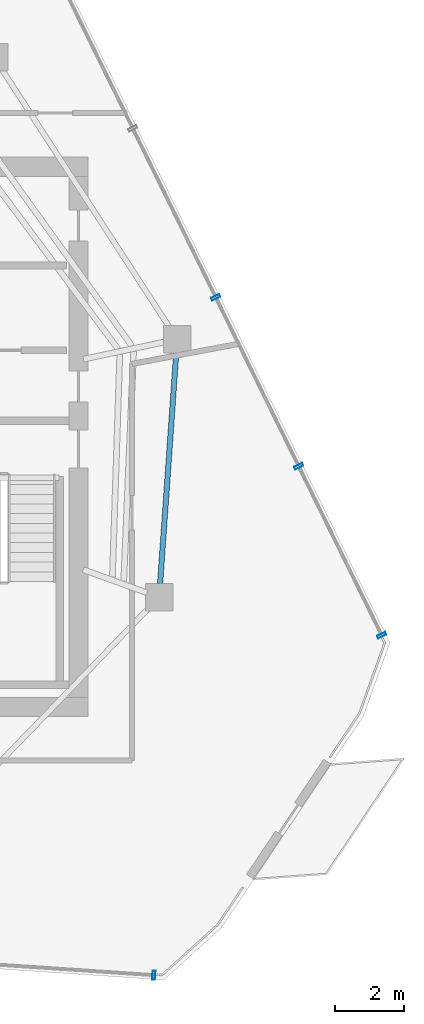
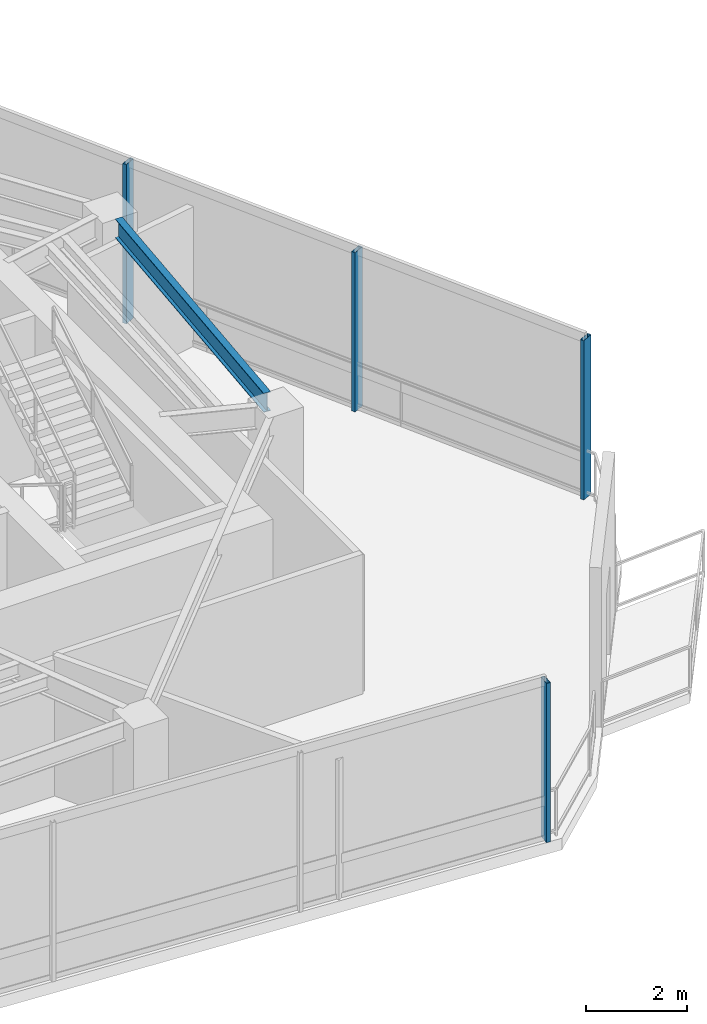
# One storey, part 10 of 18: 4 members, 1 beam, 2 elements without a shape of their own.
"""IFC4 building model written with IfcOpenShell, lengths in metres."""

from ifc_helpers import new_model, si_unit, direction, frame, origin, origin_2d, place, context, subcontext, project, spatial, hollow_rectangle, i_section, extrude, material, layer, layer_set, material_profile, profile_set, type_object, element, aggregate, save


model = new_model("IFC4")

# Units and contexts
model_context = context("Model", 3, precision=1e-05, world=origin(), true_north=direction((0.0, 1.0)))
body_context = subcontext(model_context, "Body", "Model", "MODEL_VIEW")
ifc_project = project(units=[si_unit("LENGTHUNIT", "METRE"), si_unit("AREAUNIT", "SQUARE_METRE"), si_unit("VOLUMEUNIT", "CUBIC_METRE"), si_unit("PLANEANGLEUNIT", "RADIAN"), si_unit("MASSUNIT", "GRAM", prefix="KILO")], contexts=[model_context])

# Site, building, storey
site_placement = place(None, origin())
site = spatial("IfcSite", under=ifc_project, at=site_placement, CompositionType="ELEMENT")
building_placement = place(site_placement, origin())
building = spatial("IfcBuilding", under=site, at=building_placement, Name="Qarnah Convention Tower", CompositionType="ELEMENT")
storey_placement = place(building_placement, frame((0.0, 0.0, 279.300048828125)))
storey = spatial("IfcBuildingStorey", under=building, at=storey_placement, Name="L75", CompositionType="ELEMENT", Elevation=279.300048828125)

# Beam
ifc_material_1 = material(Name="Structural steel S355JR", Category="steel")
ifc_material_profile_1 = material_profile(ifc_material_1, i_section(OverallWidth=0.154052734375, OverallDepth=0.4599609375, WebThickness=0.009033203125, FlangeThickness=0.014892578125, at=origin_2d()), Name="W460X68")
ifc_profile_set_1 = profile_set([ifc_material_profile_1], Name="Structural steel S355JR")
beam_type = type_object("IfcBeamType", Name="BM-SPN-W460B", PredefinedType="SPANDREL", material=ifc_profile_set_1)
beam_placement = place(storey_placement, frame((49.9599609375, 22.155029296875, 3.60986328125), z_axis=(0.069820410922, 0.997559577278, 0.0), x_axis=(-0.997559577278, 0.069820410922, 0.0)))
element("IfcBeam", 1, at=beam_placement, inside=storey, type_object=beam_type, Name="L75 spandrel BM-L75-SPN-09", PredefinedType="SPANDREL", context=body_context, shape_type="SweptSolid", body=[
    extrude(i_section(OverallWidth=0.154052734375, OverallDepth=0.4599609375, WebThickness=0.009033203125, FlangeThickness=0.014892578125, at=origin_2d()), origin(), (0.0, 0.0, 1.0), 6.689208984375),
])

# Curtain wall, members
ifc_material_2 = material(Name="Tempered Low-E dark glass", Category="glass")
ifc_layer = layer(ifc_material_2, 0.177978515625)
ifc_layer_set = layer_set([ifc_layer], Name="Tempered Low-E dark glass")
curtain_wall_type = type_object("IfcCurtainWallType", Name="CWS-06", PredefinedType="NOTDEFINED", material=ifc_layer_set)
curtain_wall_1_placement = place(storey_placement, origin())
curtain_wall_1 = element("IfcCurtainWall", 2, at=curtain_wall_1_placement, inside=storey, type_object=curtain_wall_type, Name="L75 unitised curtain wall CW-L75-F1", PredefinedType="NOTDEFINED")
ifc_material_3 = material(Name="Black anodised aluminium", Category="aluminium")
ifc_material_profile_2 = material_profile(ifc_material_3, hollow_rectangle(XDim=0.0849609375, YDim=0.260009765625, WallThickness=0.006103515625, at=origin_2d()), Name="MUL-85X260")
ifc_profile_set_2 = profile_set([ifc_material_profile_2], Name="Black anodised aluminium")
member_type = type_object("IfcMemberType", Name="MUL-T6", PredefinedType="MULLION", material=ifc_profile_set_2)
member_1_placement = place(storey_placement, frame((51.5673828125, 30.428466796875, 0.0), z_axis=(0.0, 0.0, 1.0), x_axis=(0.440831090397, -0.8975900789, 0.0)))
member_1 = element("IfcMember", 3, at=member_1_placement, type_object=member_type, Name="CW-L75-F1 mullion 4", PredefinedType="MULLION", context=body_context, shape_type="SweptSolid", body=[
    extrude(hollow_rectangle(XDim=0.0849609375, YDim=0.260009765625, WallThickness=0.006103515625, at=origin_2d()), origin(), (0.0, 0.0, 1.0), 3.83984375),
])
member_2_placement = place(storey_placement, frame((53.964111328125, 25.548095703125, 0.0), z_axis=(0.0, 0.0, 1.0), x_axis=(0.440831090397, -0.8975900789, 0.0)))
member_2 = element("IfcMember", 4, at=member_2_placement, type_object=member_type, Name="CW-L75-F1 mullion 5", PredefinedType="MULLION", context=body_context, shape_type="SweptSolid", body=[
    extrude(hollow_rectangle(XDim=0.0849609375, YDim=0.260009765625, WallThickness=0.006103515625, at=origin_2d()), origin(), (0.0, 0.0, 1.0), 3.83984375),
])
member_3_placement = place(storey_placement, frame((56.361083984375, 20.66796875, 0.0), z_axis=(0.0, 0.0, 1.0), x_axis=(0.440831090397, -0.8975900789, 0.0)))
member_3 = element("IfcMember", 5, at=member_3_placement, type_object=member_type, Name="CW-L75-F1 mullion 6", PredefinedType="MULLION", context=body_context, shape_type="SweptSolid", body=[
    extrude(hollow_rectangle(XDim=0.0849609375, YDim=0.260009765625, WallThickness=0.006103515625, at=origin_2d()), origin(), (0.0, 0.0, 1.0), 3.83984375),
])
aggregate(curtain_wall_1, [member_1, member_2, member_3])

# Curtain wall, member
curtain_wall_2_placement = place(storey_placement, origin())
curtain_wall_2 = element("IfcCurtainWall", 6, at=curtain_wall_2_placement, inside=storey, type_object=curtain_wall_type, Name="L75 unitised curtain wall CW-L75-F3", PredefinedType="NOTDEFINED")
member_4_placement = place(storey_placement, frame((49.779052734375, 10.85107421875, 0.0), z_axis=(0.0, 0.0, 1.0), x_axis=(-0.997753961252, 0.066985317843, 0.0)))
member_4 = element("IfcMember", 7, at=member_4_placement, type_object=member_type, Name="CW-L75-F3 mullion 1", PredefinedType="MULLION", context=body_context, shape_type="SweptSolid", body=[
    extrude(hollow_rectangle(XDim=0.0849609375, YDim=0.260009765625, WallThickness=0.006103515625, at=origin_2d()), origin(), (0.0, 0.0, 1.0), 3.83984375),
])
aggregate(curtain_wall_2, [member_4])

save(model, "model.ifc")
